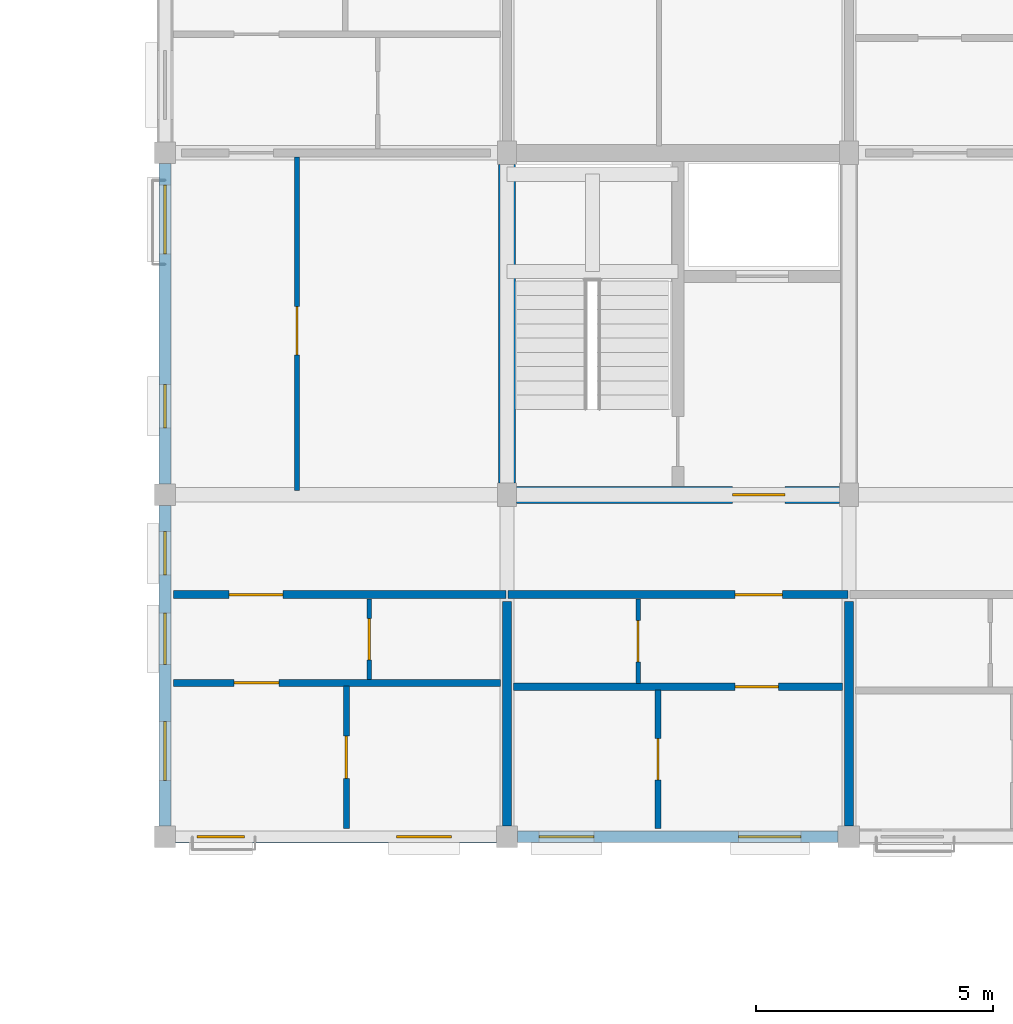
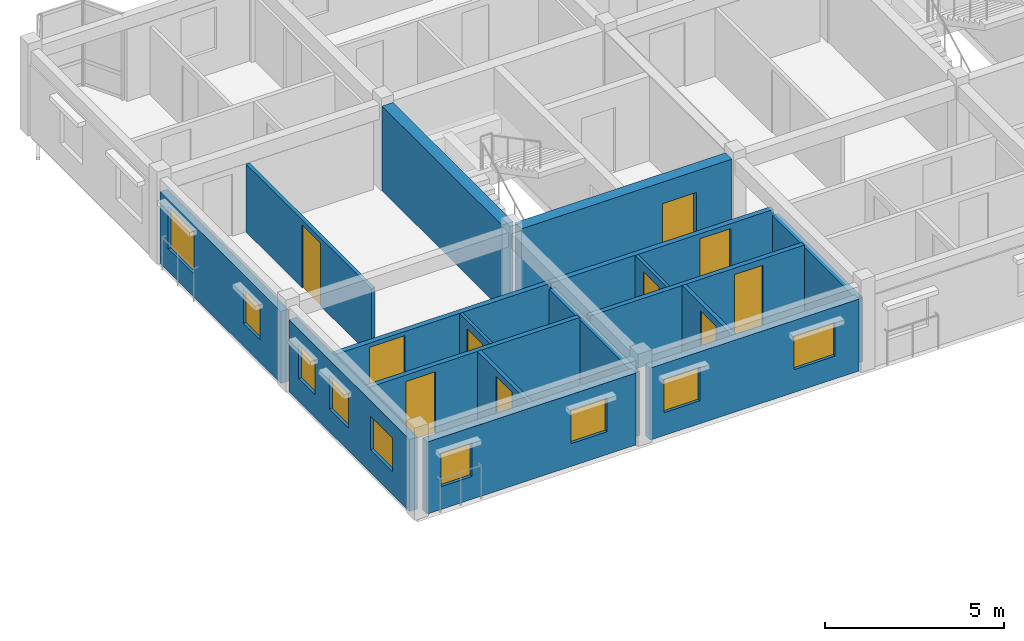
# One storey, part 21 of 28: 17 walls, 10 doors, 9 windows, 19 openings.
"""IFC4 building model written with IfcOpenShell, lengths in metres."""

from ifc_helpers import new_model, si_unit, direction, frame, frame_2d, origin, place, context, subcontext, project, spatial, rectangle, extrude, material, layer, layer_set, type_object, element, fill, save


model = new_model("IFC4")

# Units and contexts
model_context = context("Model", 3, precision=1e-05, world=origin(), true_north=direction((0.0, 1.0)))
body_context = subcontext(model_context, "Body", "Model", "MODEL_VIEW")
ifc_project = project(units=[si_unit("LENGTHUNIT", "METRE"), si_unit("AREAUNIT", "SQUARE_METRE"), si_unit("VOLUMEUNIT", "CUBIC_METRE"), si_unit("PLANEANGLEUNIT", "RADIAN"), si_unit("MASSUNIT", "GRAM", prefix="KILO"), si_unit("THERMODYNAMICTEMPERATUREUNIT", "KELVIN"), si_unit("POWERUNIT", "WATT")], contexts=[model_context])

# Site, building, storey
site_placement = place(None, origin())
site = spatial("IfcSite", under=ifc_project, at=site_placement, CompositionType="ELEMENT")
building_placement = place(site_placement, origin())
building = spatial("IfcBuilding", under=site, at=building_placement, Name="Tavuni Mirador Residences", CompositionType="ELEMENT")
storey_placement = place(building_placement, frame((0.0, 0.0, 39.14990234375)))
storey = spatial("IfcBuildingStorey", under=building, at=storey_placement, Name="L12", CompositionType="ELEMENT", Elevation=39.14990234375)

# Wall
ifc_material_1 = material(Name="Precast concrete C40/50", Category="concrete")
ifc_layer_1 = layer(ifc_material_1, 0.360107421875, Name="Precast concrete C40/50", Category="concrete")
ifc_layer_set_1 = layer_set([ifc_layer_1], Name="Precast concrete C40/50")
wall_type_1 = type_object("IfcWallType", Name="WT-COR360", PredefinedType="SHEAR", material=ifc_layer_set_1)
wall_1_placement = place(storey_placement, frame((25.199951171875, 158.64990234375, 0.0), z_axis=(0.0, 0.0, 1.0), x_axis=(0.0, 1.0, 0.0)))
element("IfcWall", 1, at=wall_1_placement, inside=storey, type_object=wall_type_1, Name="CWALL-C5-L12-W", PredefinedType="SHEAR", context=body_context, shape_type="SweptSolid", body=[
    extrude(rectangle(XDim=6.7001953125, YDim=0.360107421875, at=frame_2d((3.35009765625, 0.0))), origin(), (0.0, 0.0, 1.0), 2.885009765625),
])

# Wall, opening, door
wall_2_placement = place(storey_placement, frame((25.39990234375, 158.39990234375, 0.0), z_axis=(0.0, 0.0, 1.0), x_axis=(1.0, 0.0, 0.0)))
wall_2 = element("IfcWall", 2, at=wall_2_placement, inside=storey, type_object=wall_type_1, Name="CWALL-C5-L12-SS", PredefinedType="SHEAR", context=body_context, shape_type="SweptSolid", body=[
    extrude(rectangle(XDim=6.800048828125, YDim=0.360107421875, at=frame_2d((3.39990234375, 0.0))), origin(), (0.0, 0.0, 1.0), 2.885009765625),
])
opening_1_placement = place(wall_2_placement, frame((4.550048828125, 0.0, 0.0)))
opening_1 = element("IfcOpeningElement", 3, at=opening_1_placement, cuts=wall_2, Name="Opening D-02", PredefinedType="OPENING", context=body_context, shape_type="SweptSolid", body=[
    extrude(rectangle(XDim=1.10009765625, YDim=2.14990234375, at=frame_2d((0.550048828125, 1.074951171875))), frame((0.0, 0.18994140625, 0.0), z_axis=(0.0, -1.0, 0.0), x_axis=(1.0, 0.0, 0.0)), (0.0, 0.0, 1.0), 0.380126953125),
])
ifc_material_2 = material(Name="Solid core iroko timber", Category="wood")
door_type_1 = type_object("IfcDoorType", Name="DT-LOB1100", OperationType="NOTDEFINED", PredefinedType="DOOR", material=ifc_material_2)
door_1_placement = place(opening_1_placement, frame((1.10009765625, 0.0, 0.0), z_axis=(0.0, 0.0, 1.0), x_axis=(-1.0, 0.0, 0.0)))
door_1 = element("IfcDoor", 4, at=door_1_placement, inside=storey, type_object=door_type_1, Name="DR-2210", OperationType="SINGLE_SWING_RIGHT", OverallHeight=2.14990234375, OverallWidth=1.10009765625, PredefinedType="DOOR", context=body_context, shape_type="SweptSolid", body=[
    extrude(rectangle(XDim=1.10009765625, YDim=2.14990234375, at=frame_2d((0.550048828125, 1.074951171875))), frame((0.0, 0.02490234375, 0.0), z_axis=(0.0, -1.0, 0.0), x_axis=(1.0, 0.0, 0.0)), (0.0, 0.0, 1.0), 0.050048828125),
])
fill(opening_1, door_1)

ifc_layer_2 = layer(ifc_material_1, 0.1650390625, Name="Precast concrete C40/50", Category="concrete")
ifc_layer_set_2 = layer_set([ifc_layer_2], Name="Precast concrete C40/50")
wall_type_2 = type_object("IfcWallType", Name="WT-CORR165", PredefinedType="PARTITIONING", material=ifc_layer_set_2)
wall_3_placement = place(storey_placement, frame((18.175048828125, 156.300048828125, 0.0), z_axis=(0.0, 0.0, 1.0), x_axis=(1.0, 0.0, 0.0)))
wall_3 = element("IfcWall", 5, at=wall_3_placement, inside=storey, type_object=wall_type_2, Name="CORW-BLK-C-L12-0-00", PredefinedType="PARTITIONING", context=body_context, shape_type="SweptSolid", body=[
    extrude(rectangle(XDim=7.0048828125, YDim=0.1650390625, at=frame_2d((3.50244140625, 0.0))), origin(), (0.0, 0.0, 1.0), 2.320068359375),
])
opening_2_placement = place(wall_3_placement, frame((1.175048828125, 0.0, 0.0)))
opening_2 = element("IfcOpeningElement", 6, at=opening_2_placement, cuts=wall_3, Name="Opening D-20", PredefinedType="OPENING", context=body_context, shape_type="SweptSolid", body=[
    extrude(rectangle(XDim=1.139892578125, YDim=2.179931640625, at=frame_2d((0.56982421875, 1.08984375))), frame((0.0, 0.092529296875, 0.0), z_axis=(0.0, -1.0, 0.0), x_axis=(1.0, 0.0, 0.0)), (0.0, 0.0, 1.0), 0.18505859375),
])
door_type_2 = type_object("IfcDoorType", Name="DT-FD60-1140", OperationType="NOTDEFINED", PredefinedType="DOOR", material=ifc_material_2)
door_2_placement = place(opening_2_placement, origin())
door_2 = element("IfcDoor", 7, at=door_2_placement, inside=storey, type_object=door_type_2, Name="DR-2783", OperationType="SINGLE_SWING_RIGHT", OverallHeight=2.179931640625, OverallWidth=1.139892578125, PredefinedType="DOOR", context=body_context, shape_type="SweptSolid", body=[
    extrude(rectangle(XDim=1.139892578125, YDim=2.179931640625, at=frame_2d((0.56982421875, 1.08984375))), frame((0.0, 0.02490234375, 0.0), z_axis=(0.0, -1.0, 0.0), x_axis=(1.0, 0.0, 0.0)), (0.0, 0.0, 1.0), 0.050048828125),
])
fill(opening_2, door_2)

wall_4_placement = place(storey_placement, frame((25.219970703125, 156.300048828125, 0.0), z_axis=(0.0, 0.0, 1.0), x_axis=(1.0, 0.0, 0.0)))
wall_4 = element("IfcWall", 8, at=wall_4_placement, inside=storey, type_object=wall_type_2, Name="CORW-BLK-C-L12-0-01", PredefinedType="PARTITIONING", context=body_context, shape_type="SweptSolid", body=[
    extrude(rectangle(XDim=7.159912109375, YDim=0.1650390625, at=frame_2d((3.580078125, 0.0))), origin(), (0.0, 0.0, 1.0), 2.320068359375),
])
opening_3_placement = place(wall_4_placement, frame((4.780029296875, 0.0, 0.0)))
opening_3 = element("IfcOpeningElement", 9, at=opening_3_placement, cuts=wall_4, Name="Opening D-03", PredefinedType="OPENING", context=body_context, shape_type="SweptSolid", body=[
    extrude(rectangle(XDim=1.0, YDim=2.14990234375, at=frame_2d((0.5, 1.074951171875))), frame((0.0, 0.092529296875, 0.0), z_axis=(0.0, -1.0, 0.0), x_axis=(1.0, 0.0, 0.0)), (0.0, 0.0, 1.0), 0.18505859375),
])
door_type_3 = type_object("IfcDoorType", Name="DT-FD60-1000", OperationType="NOTDEFINED", PredefinedType="DOOR", material=ifc_material_2)
door_3_placement = place(opening_3_placement, origin())
door_3 = element("IfcDoor", 10, at=door_3_placement, inside=storey, type_object=door_type_3, Name="DR-2784", OperationType="SINGLE_SWING_LEFT", OverallHeight=2.14990234375, OverallWidth=1.0, PredefinedType="DOOR", context=body_context, shape_type="SweptSolid", body=[
    extrude(rectangle(XDim=1.0, YDim=2.14990234375, at=frame_2d((0.5, 1.074951171875))), frame((0.0, 0.02490234375, 0.0), z_axis=(0.0, -1.0, 0.0), x_axis=(1.0, 0.0, 0.0)), (0.0, 0.0, 1.0), 0.050048828125),
])
fill(opening_3, door_3)

# Wall, openings, windows
ifc_material_3 = material(Name="Sgraffito lime-rendered precast concrete C40/50", Category="concrete")
ifc_layer_3 = layer(ifc_material_3, 0.2451171875, Name="Sgraffito lime-rendered precast concrete C40/50", Category="concrete")
ifc_layer_set_3 = layer_set([ifc_layer_3], Name="Sgraffito lime-rendered precast concrete C40/50")
wall_type_3 = type_object("IfcWallType", Name="WT-EXT-PC245", PredefinedType="SOLIDWALL", material=ifc_layer_set_3)
wall_5_placement = place(storey_placement, frame((25.425048828125, 151.199951171875, 0.0), z_axis=(0.0, 0.0, 1.0), x_axis=(1.0, 0.0, 0.0)))
wall_5 = element("IfcWall", 11, at=wall_5_placement, inside=storey, type_object=wall_type_3, Name="EW-BLK-C-L12-S01", PredefinedType="SOLIDWALL", context=body_context, shape_type="SweptSolid", body=[
    extrude(rectangle(XDim=6.75, YDim=0.2451171875, at=frame_2d((3.375, 0.0))), origin(), (0.0, 0.0, 1.0), 2.455078125),
])
opening_4_placement = place(wall_5_placement, frame((0.449951171875, 0.0, 0.780029296875)))
opening_4 = element("IfcOpeningElement", 12, at=opening_4_placement, cuts=wall_5, Name="Opening WN-05", PredefinedType="OPENING", context=body_context, shape_type="SweptSolid", body=[
    extrude(rectangle(XDim=1.159912109375, YDim=1.14990234375, at=frame_2d((0.580078125, 0.574951171875))), frame((0.0, 0.132568359375, 0.0), z_axis=(0.0, -1.0, 0.0), x_axis=(1.0, 0.0, 0.0)), (0.0, 0.0, 1.0), 0.26513671875),
])
opening_5_placement = place(wall_5_placement, frame((4.64990234375, 0.0, 0.780029296875)))
opening_5 = element("IfcOpeningElement", 13, at=opening_5_placement, cuts=wall_5, Name="Opening WN-07", PredefinedType="OPENING", context=body_context, shape_type="SweptSolid", body=[
    extrude(rectangle(XDim=1.320068359375, YDim=1.14990234375, at=frame_2d((0.66015625, 0.574951171875))), frame((0.0, 0.132568359375, 0.0), z_axis=(0.0, -1.0, 0.0), x_axis=(1.0, 0.0, 0.0)), (0.0, 0.0, 1.0), 0.26513671875),
])
ifc_material_4 = material(Name="Laminated solar-control glass", Category="glass")
window_type_1 = type_object("IfcWindowType", Name="WNT-05", PartitioningType="SINGLE_PANEL", PredefinedType="WINDOW", material=ifc_material_4)
window_1_placement = place(opening_4_placement, origin())
window_1 = element("IfcWindow", 14, at=window_1_placement, inside=storey, type_object=window_type_1, Name="WIN-1342", OverallHeight=1.14990234375, OverallWidth=1.159912109375, PartitioningType="SINGLE_PANEL", PredefinedType="WINDOW", context=body_context, shape_type="SweptSolid", body=[
    extrude(rectangle(XDim=1.159912109375, YDim=1.14990234375, at=frame_2d((0.580078125, 0.574951171875))), frame((0.0, 0.030029296875, 0.0), z_axis=(0.0, -1.0, 0.0), x_axis=(1.0, 0.0, 0.0)), (0.0, 0.0, 1.0), 0.06005859375),
])
fill(opening_4, window_1)
window_type_2 = type_object("IfcWindowType", Name="WNT-07", PartitioningType="SINGLE_PANEL", PredefinedType="WINDOW", material=ifc_material_4)
window_2_placement = place(opening_5_placement, origin())
window_2 = element("IfcWindow", 15, at=window_2_placement, inside=storey, type_object=window_type_2, Name="WIN-1343", OverallHeight=1.14990234375, OverallWidth=1.320068359375, PartitioningType="SINGLE_PANEL", PredefinedType="WINDOW", context=body_context, shape_type="SweptSolid", body=[
    extrude(rectangle(XDim=1.320068359375, YDim=1.14990234375, at=frame_2d((0.66015625, 0.574951171875))), frame((0.0, 0.030029296875, 0.0), z_axis=(0.0, -1.0, 0.0), x_axis=(1.0, 0.0, 0.0)), (0.0, 0.0, 1.0), 0.06005859375),
])
fill(opening_5, window_2)

wall_6_placement = place(storey_placement, frame((18.0, 165.375, 0.0), z_axis=(0.0, 0.0, 1.0), x_axis=(0.0, -1.0, 0.0)))
wall_6 = element("IfcWall", 16, at=wall_6_placement, inside=storey, type_object=wall_type_3, Name="EW-BLK-C-L12-W01", PredefinedType="SOLIDWALL", context=body_context, shape_type="SweptSolid", body=[
    extrude(rectangle(XDim=6.75, YDim=0.2451171875, at=frame_2d((3.375, 0.0))), origin(), (0.0, 0.0, 1.0), 2.455078125),
])
opening_6_placement = place(wall_6_placement, frame((0.449951171875, 0.0, 0.780029296875)))
opening_6 = element("IfcOpeningElement", 17, at=opening_6_placement, cuts=wall_6, Name="Opening WN-30", PredefinedType="OPENING", context=body_context, shape_type="SweptSolid", body=[
    extrude(rectangle(XDim=1.449951171875, YDim=1.43994140625, at=frame_2d((0.72509765625, 0.719970703125))), frame((0.0, 0.132568359375, 0.0), z_axis=(0.0, -1.0, 0.0), x_axis=(1.0, 0.0, 0.0)), (0.0, 0.0, 1.0), 0.26513671875),
])
opening_7_placement = place(wall_6_placement, frame((4.64990234375, 0.0, 0.780029296875)))
opening_7 = element("IfcOpeningElement", 18, at=opening_7_placement, cuts=wall_6, Name="Opening WN-02", PredefinedType="OPENING", context=body_context, shape_type="SweptSolid", body=[
    extrude(rectangle(XDim=0.919921875, YDim=1.14990234375, at=frame_2d((0.4599609375, 0.574951171875))), frame((0.0, 0.132568359375, 0.0), z_axis=(0.0, -1.0, 0.0), x_axis=(1.0, 0.0, 0.0)), (0.0, 0.0, 1.0), 0.26513671875),
])
window_type_3 = type_object("IfcWindowType", Name="WNT-02", PartitioningType="SINGLE_PANEL", PredefinedType="WINDOW", material=ifc_material_4)
window_3_placement = place(opening_7_placement, origin())
window_3 = element("IfcWindow", 19, at=window_3_placement, inside=storey, type_object=window_type_3, Name="WIN-1368", OverallHeight=1.14990234375, OverallWidth=0.919921875, PartitioningType="SINGLE_PANEL", PredefinedType="WINDOW", context=body_context, shape_type="SweptSolid", body=[
    extrude(rectangle(XDim=0.919921875, YDim=1.14990234375, at=frame_2d((0.4599609375, 0.574951171875))), frame((0.0, 0.030029296875, 0.0), z_axis=(0.0, -1.0, 0.0), x_axis=(1.0, 0.0, 0.0)), (0.0, 0.0, 1.0), 0.06005859375),
])
fill(opening_7, window_3)
window_type_4 = type_object("IfcWindowType", Name="WNT-30", PartitioningType="SINGLE_PANEL", PredefinedType="WINDOW", material=ifc_material_4)
window_4_placement = place(opening_6_placement, origin())
window_4 = element("IfcWindow", 20, at=window_4_placement, inside=storey, type_object=window_type_4, Name="WIN-1367", OverallHeight=1.43994140625, OverallWidth=1.449951171875, PartitioningType="SINGLE_PANEL", PredefinedType="WINDOW", context=body_context, shape_type="SweptSolid", body=[
    extrude(rectangle(XDim=1.449951171875, YDim=1.43994140625, at=frame_2d((0.72509765625, 0.719970703125))), frame((0.0, 0.030029296875, 0.0), z_axis=(0.0, -1.0, 0.0), x_axis=(1.0, 0.0, 0.0)), (0.0, 0.0, 1.0), 0.06005859375),
])
fill(opening_6, window_4)

ifc_layer_4 = layer(ifc_material_3, 0.2548828125, Name="Sgraffito lime-rendered precast concrete C40/50", Category="concrete")
ifc_layer_set_4 = layer_set([ifc_layer_4], Name="Sgraffito lime-rendered precast concrete C40/50")
wall_type_4 = type_object("IfcWallType", Name="WT-EXT-PC255", PredefinedType="SOLIDWALL", material=ifc_layer_set_4)
wall_7_placement = place(storey_placement, frame((18.22509765625, 151.199951171875, 0.0), z_axis=(0.0, 0.0, 1.0), x_axis=(1.0, 0.0, 0.0)))
wall_7 = element("IfcWall", 21, at=wall_7_placement, inside=storey, type_object=wall_type_4, Name="EW-BLK-C-L12-S00", PredefinedType="SOLIDWALL", context=body_context, shape_type="SweptSolid", body=[
    extrude(rectangle(XDim=6.75, YDim=0.2548828125, at=frame_2d((3.375, 0.0))), origin(), (0.0, 0.0, 1.0), 2.455078125),
])
opening_8_placement = place(wall_7_placement, frame((0.449951171875, 0.0, 0.780029296875)))
opening_8 = element("IfcOpeningElement", 22, at=opening_8_placement, cuts=wall_7, Name="Opening WN-03", PredefinedType="OPENING", context=body_context, shape_type="SweptSolid", body=[
    extrude(rectangle(XDim=1.0, YDim=1.14990234375, at=frame_2d((0.5, 0.574951171875))), frame((0.0, 0.137451171875, 0.0), z_axis=(0.0, -1.0, 0.0), x_axis=(1.0, 0.0, 0.0)), (0.0, 0.0, 1.0), 0.27490234375),
])
opening_9_placement = place(wall_7_placement, frame((4.64990234375, 0.0, 0.780029296875)))
opening_9 = element("IfcOpeningElement", 23, at=opening_9_placement, cuts=wall_7, Name="Opening WN-05", PredefinedType="OPENING", context=body_context, shape_type="SweptSolid", body=[
    extrude(rectangle(XDim=1.159912109375, YDim=1.14990234375, at=frame_2d((0.580078125, 0.574951171875))), frame((0.0, 0.137451171875, 0.0), z_axis=(0.0, -1.0, 0.0), x_axis=(1.0, 0.0, 0.0)), (0.0, 0.0, 1.0), 0.27490234375),
])
window_type_5 = type_object("IfcWindowType", Name="WNT-03", PartitioningType="SINGLE_PANEL", PredefinedType="WINDOW", material=ifc_material_4)
window_5_placement = place(opening_8_placement, origin())
window_5 = element("IfcWindow", 24, at=window_5_placement, inside=storey, type_object=window_type_5, Name="WIN-1340", OverallHeight=1.14990234375, OverallWidth=1.0, PartitioningType="SINGLE_PANEL", PredefinedType="WINDOW", context=body_context, shape_type="SweptSolid", body=[
    extrude(rectangle(XDim=1.0, YDim=1.14990234375, at=frame_2d((0.5, 0.574951171875))), frame((0.0, 0.030029296875, 0.0), z_axis=(0.0, -1.0, 0.0), x_axis=(1.0, 0.0, 0.0)), (0.0, 0.0, 1.0), 0.06005859375),
])
fill(opening_8, window_5)
window_6_placement = place(opening_9_placement, origin())
window_6 = element("IfcWindow", 25, at=window_6_placement, inside=storey, type_object=window_type_1, Name="WIN-1341", OverallHeight=1.14990234375, OverallWidth=1.159912109375, PartitioningType="SINGLE_PANEL", PredefinedType="WINDOW", context=body_context, shape_type="SweptSolid", body=[
    extrude(rectangle(XDim=1.159912109375, YDim=1.14990234375, at=frame_2d((0.580078125, 0.574951171875))), frame((0.0, 0.030029296875, 0.0), z_axis=(0.0, -1.0, 0.0), x_axis=(1.0, 0.0, 0.0)), (0.0, 0.0, 1.0), 0.06005859375),
])
fill(opening_9, window_6)

wall_8_placement = place(storey_placement, frame((18.0, 158.175048828125, 0.0), z_axis=(0.0, 0.0, 1.0), x_axis=(0.0, -1.0, 0.0)))
wall_8 = element("IfcWall", 26, at=wall_8_placement, inside=storey, type_object=wall_type_4, Name="EW-BLK-C-L12-W00", PredefinedType="SOLIDWALL", context=body_context, shape_type="SweptSolid", body=[
    extrude(rectangle(XDim=6.75, YDim=0.2548828125, at=frame_2d((3.375, 0.0))), origin(), (0.0, 0.0, 1.0), 2.455078125),
])
opening_10_placement = place(wall_8_placement, frame((0.547607421875, 0.0, 0.780029296875)))
opening_10 = element("IfcOpeningElement", 27, at=opening_10_placement, cuts=wall_8, Name="Opening WN-02", PredefinedType="OPENING", context=body_context, shape_type="SweptSolid", body=[
    extrude(rectangle(XDim=0.919921875, YDim=1.14990234375, at=frame_2d((0.4599609375, 0.574951171875))), frame((0.0, 0.137451171875, 0.0), z_axis=(0.0, -1.0, 0.0), x_axis=(1.0, 0.0, 0.0)), (0.0, 0.0, 1.0), 0.27490234375),
])
opening_11_placement = place(wall_8_placement, frame((2.264892578125, 0.0, 0.780029296875)))
opening_11 = element("IfcOpeningElement", 28, at=opening_11_placement, cuts=wall_8, Name="Opening WN-04", PredefinedType="OPENING", context=body_context, shape_type="SweptSolid", body=[
    extrude(rectangle(XDim=1.080078125, YDim=1.14990234375, at=frame_2d((0.5400390625, 0.574951171875))), frame((0.0, 0.137451171875, 0.0), z_axis=(0.0, -1.0, 0.0), x_axis=(1.0, 0.0, 0.0)), (0.0, 0.0, 1.0), 0.27490234375),
])
opening_12_placement = place(wall_8_placement, frame((4.552490234375, 0.0, 0.780029296875)))
opening_12 = element("IfcOpeningElement", 29, at=opening_12_placement, cuts=wall_8, Name="Opening WN-06", PredefinedType="OPENING", context=body_context, shape_type="SweptSolid", body=[
    extrude(rectangle(XDim=1.239990234375, YDim=1.14990234375, at=frame_2d((0.6201171875, 0.574951171875))), frame((0.0, 0.137451171875, 0.0), z_axis=(0.0, -1.0, 0.0), x_axis=(1.0, 0.0, 0.0)), (0.0, 0.0, 1.0), 0.27490234375),
])
window_7_placement = place(opening_10_placement, origin())
window_7 = element("IfcWindow", 30, at=window_7_placement, inside=storey, type_object=window_type_3, Name="WIN-1369", OverallHeight=1.14990234375, OverallWidth=0.919921875, PartitioningType="SINGLE_PANEL", PredefinedType="WINDOW", context=body_context, shape_type="SweptSolid", body=[
    extrude(rectangle(XDim=0.919921875, YDim=1.14990234375, at=frame_2d((0.4599609375, 0.574951171875))), frame((0.0, 0.030029296875, 0.0), z_axis=(0.0, -1.0, 0.0), x_axis=(1.0, 0.0, 0.0)), (0.0, 0.0, 1.0), 0.06005859375),
])
fill(opening_10, window_7)
window_type_6 = type_object("IfcWindowType", Name="WNT-04", PartitioningType="SINGLE_PANEL", PredefinedType="WINDOW", material=ifc_material_4)
window_8_placement = place(opening_11_placement, origin())
window_8 = element("IfcWindow", 31, at=window_8_placement, inside=storey, type_object=window_type_6, Name="WIN-1370", OverallHeight=1.14990234375, OverallWidth=1.080078125, PartitioningType="SINGLE_PANEL", PredefinedType="WINDOW", context=body_context, shape_type="SweptSolid", body=[
    extrude(rectangle(XDim=1.080078125, YDim=1.14990234375, at=frame_2d((0.5400390625, 0.574951171875))), frame((0.0, 0.030029296875, 0.0), z_axis=(0.0, -1.0, 0.0), x_axis=(1.0, 0.0, 0.0)), (0.0, 0.0, 1.0), 0.06005859375),
])
fill(opening_11, window_8)
window_type_7 = type_object("IfcWindowType", Name="WNT-06", PartitioningType="SINGLE_PANEL", PredefinedType="WINDOW", material=ifc_material_4)
window_9_placement = place(opening_12_placement, origin())
window_9 = element("IfcWindow", 32, at=window_9_placement, inside=storey, type_object=window_type_7, Name="WIN-1371", OverallHeight=1.14990234375, OverallWidth=1.239990234375, PartitioningType="SINGLE_PANEL", PredefinedType="WINDOW", context=body_context, shape_type="SweptSolid", body=[
    extrude(rectangle(XDim=1.239990234375, YDim=1.14990234375, at=frame_2d((0.6201171875, 0.574951171875))), frame((0.0, 0.030029296875, 0.0), z_axis=(0.0, -1.0, 0.0), x_axis=(1.0, 0.0, 0.0)), (0.0, 0.0, 1.0), 0.06005859375),
])
fill(opening_12, window_9)

# Wall, opening, door
ifc_material_5 = material(Name="Acoustic gypsum and concrete block partition", Category="concrete")
ifc_layer_5 = layer(ifc_material_5, 0.094970703125, Name="Acoustic gypsum and concrete block partition", Category="concrete")
ifc_layer_set_5 = layer_set([ifc_layer_5], Name="Acoustic gypsum and concrete block partition")
wall_type_5 = type_object("IfcWallType", Name="WT-PART095", PredefinedType="PARTITIONING", material=ifc_layer_set_5)
wall_9_placement = place(storey_placement, frame((22.300048828125, 154.510009765625, 0.0), z_axis=(0.0, 0.0, 1.0), x_axis=(0.0, 1.0, 0.0)))
wall_9 = element("IfcWall", 33, at=wall_9_placement, inside=storey, type_object=wall_type_5, Name="PW-BLK-C-L12-S00-IN1", PredefinedType="PARTITIONING", context=body_context, shape_type="SweptSolid", body=[
    extrude(rectangle(XDim=1.699951171875, YDim=0.094970703125, at=frame_2d((0.85009765625, 0.0))), origin(), (0.0, 0.0, 1.0), 2.320068359375),
])
opening_13_placement = place(wall_9_placement, frame((0.4150390625, 0.0, 0.0)))
opening_13 = element("IfcOpeningElement", 34, at=opening_13_placement, cuts=wall_9, Name="Opening D-10", PredefinedType="OPENING", context=body_context, shape_type="SweptSolid", body=[
    extrude(rectangle(XDim=0.8701171875, YDim=2.050048828125, at=frame_2d((0.43505859375, 1.02490234375))), frame((0.0, 0.0576171875, 0.0), z_axis=(0.0, -1.0, 0.0), x_axis=(1.0, 0.0, 0.0)), (0.0, 0.0, 1.0), 0.114990234375),
])
door_type_4 = type_object("IfcDoorType", Name="DT-WC870", OperationType="NOTDEFINED", PredefinedType="DOOR", material=ifc_material_2)
door_4_placement = place(opening_13_placement, origin())
door_4 = element("IfcDoor", 35, at=door_4_placement, inside=storey, type_object=door_type_4, Name="DR-4229", OperationType="SINGLE_SWING_LEFT", OverallHeight=2.050048828125, OverallWidth=0.8701171875, PredefinedType="DOOR", context=body_context, shape_type="SweptSolid", body=[
    extrude(rectangle(XDim=0.8701171875, YDim=2.050048828125, at=frame_2d((0.43505859375, 1.02490234375))), frame((0.0, 0.02490234375, 0.0), z_axis=(0.0, -1.0, 0.0), x_axis=(1.0, 0.0, 0.0)), (0.0, 0.0, 1.0), 0.050048828125),
])
fill(opening_13, door_4)

wall_10_placement = place(storey_placement, frame((27.9599609375, 154.429931640625, 0.0), z_axis=(0.0, 0.0, 1.0), x_axis=(0.0, 1.0, 0.0)))
wall_10 = element("IfcWall", 36, at=wall_10_placement, inside=storey, type_object=wall_type_5, Name="PW-BLK-C-L12-S01-IN1", PredefinedType="PARTITIONING", context=body_context, shape_type="SweptSolid", body=[
    extrude(rectangle(XDim=1.780029296875, YDim=0.094970703125, at=frame_2d((0.89013671875, 0.0))), origin(), (0.0, 0.0, 1.0), 2.320068359375),
])
opening_14_placement = place(wall_10_placement, frame((0.455078125, 0.0, 0.0)))
opening_14 = element("IfcOpeningElement", 37, at=opening_14_placement, cuts=wall_10, Name="Opening D-10", PredefinedType="OPENING", context=body_context, shape_type="SweptSolid", body=[
    extrude(rectangle(XDim=0.8701171875, YDim=2.050048828125, at=frame_2d((0.43505859375, 1.02490234375))), frame((0.0, 0.0576171875, 0.0), z_axis=(0.0, -1.0, 0.0), x_axis=(1.0, 0.0, 0.0)), (0.0, 0.0, 1.0), 0.114990234375),
])
door_5_placement = place(opening_14_placement, origin())
door_5 = element("IfcDoor", 38, at=door_5_placement, inside=storey, type_object=door_type_4, Name="DR-4235", OperationType="SINGLE_SWING_RIGHT", OverallHeight=2.050048828125, OverallWidth=0.8701171875, PredefinedType="DOOR", context=body_context, shape_type="SweptSolid", body=[
    extrude(rectangle(XDim=0.8701171875, YDim=2.050048828125, at=frame_2d((0.43505859375, 1.02490234375))), frame((0.0, 0.02490234375, 0.0), z_axis=(0.0, -1.0, 0.0), x_axis=(1.0, 0.0, 0.0)), (0.0, 0.0, 1.0), 0.050048828125),
])
fill(opening_14, door_5)

ifc_layer_6 = layer(ifc_material_5, 0.114990234375, Name="Acoustic gypsum and concrete block partition", Category="concrete")
ifc_layer_set_6 = layer_set([ifc_layer_6], Name="Acoustic gypsum and concrete block partition")
wall_type_6 = type_object("IfcWallType", Name="WT-PART115", PredefinedType="PARTITIONING", material=ifc_layer_set_6)
wall_11_placement = place(storey_placement, frame((20.780029296875, 158.489990234375, 0.0), z_axis=(0.0, 0.0, 1.0), x_axis=(0.0, 1.0, 0.0)))
wall_11 = element("IfcWall", 39, at=wall_11_placement, inside=storey, type_object=wall_type_6, Name="PW-SPN-BLK-C-L12-00", PredefinedType="PARTITIONING", context=body_context, shape_type="SweptSolid", body=[
    extrude(rectangle(XDim=7.02001953125, YDim=0.114990234375, at=frame_2d((3.510009765625, 0.0))), origin(), (0.0, 0.0, 1.0), 2.320068359375),
])
opening_15_placement = place(wall_11_placement, frame((2.85009765625, 0.0, 0.0)))
opening_15 = element("IfcOpeningElement", 40, at=opening_15_placement, cuts=wall_11, Name="Opening D-13", PredefinedType="OPENING", context=body_context, shape_type="SweptSolid", body=[
    extrude(rectangle(XDim=1.02001953125, YDim=2.14990234375, at=frame_2d((0.510009765625, 1.074951171875))), frame((0.0, 0.0673828125, 0.0), z_axis=(0.0, -1.0, 0.0), x_axis=(1.0, 0.0, 0.0)), (0.0, 0.0, 1.0), 0.135009765625),
])
door_type_5 = type_object("IfcDoorType", Name="DT-MTG1020", OperationType="NOTDEFINED", PredefinedType="DOOR", material=ifc_material_2)
door_6_placement = place(opening_15_placement, origin())
door_6 = element("IfcDoor", 41, at=door_6_placement, inside=storey, type_object=door_type_5, Name="DR-4227", OperationType="SINGLE_SWING_RIGHT", OverallHeight=2.14990234375, OverallWidth=1.02001953125, PredefinedType="DOOR", context=body_context, shape_type="SweptSolid", body=[
    extrude(rectangle(XDim=1.02001953125, YDim=2.14990234375, at=frame_2d((0.510009765625, 1.074951171875))), frame((0.0, 0.02490234375, 0.0), z_axis=(0.0, -1.0, 0.0), x_axis=(1.0, 0.0, 0.0)), (0.0, 0.0, 1.0), 0.050048828125),
])
fill(opening_15, door_6)

ifc_layer_7 = layer(ifc_material_5, 0.125, Name="Acoustic gypsum and concrete block partition", Category="concrete")
ifc_layer_set_7 = layer_set([ifc_layer_7], Name="Acoustic gypsum and concrete block partition")
wall_type_7 = type_object("IfcWallType", Name="WT-PART125", PredefinedType="PARTITIONING", material=ifc_layer_set_7)
wall_12_placement = place(storey_placement, frame((21.820068359375, 151.375, 0.0), z_axis=(0.0, 0.0, 1.0), x_axis=(0.0, 1.0, 0.0)))
wall_12 = element("IfcWall", 42, at=wall_12_placement, inside=storey, type_object=wall_type_7, Name="PW-BLK-C-L12-S00-OUT", PredefinedType="PARTITIONING", context=body_context, shape_type="SweptSolid", body=[
    extrude(rectangle(XDim=2.9951171875, YDim=0.125, at=frame_2d((1.49755859375, 0.0))), origin(), (0.0, 0.0, 1.0), 2.320068359375),
])
opening_16_placement = place(wall_12_placement, frame((1.047607421875, 0.0, 0.0)))
opening_16 = element("IfcOpeningElement", 43, at=opening_16_placement, cuts=wall_12, Name="Opening D-07", PredefinedType="OPENING", context=body_context, shape_type="SweptSolid", body=[
    extrude(rectangle(XDim=0.89990234375, YDim=2.10009765625, at=frame_2d((0.449951171875, 1.050048828125))), frame((0.0, 0.072509765625, 0.0), z_axis=(0.0, -1.0, 0.0), x_axis=(1.0, 0.0, 0.0)), (0.0, 0.0, 1.0), 0.14501953125),
])
door_type_6 = type_object("IfcDoorType", Name="DT-BED900", OperationType="NOTDEFINED", PredefinedType="DOOR", material=ifc_material_2)
door_7_placement = place(opening_16_placement, origin())
door_7 = element("IfcDoor", 44, at=door_7_placement, inside=storey, type_object=door_type_6, Name="DR-4228", OperationType="SINGLE_SWING_RIGHT", OverallHeight=2.10009765625, OverallWidth=0.89990234375, PredefinedType="DOOR", context=body_context, shape_type="SweptSolid", body=[
    extrude(rectangle(XDim=0.89990234375, YDim=2.10009765625, at=frame_2d((0.449951171875, 1.050048828125))), frame((0.0, 0.02490234375, 0.0), z_axis=(0.0, -1.0, 0.0), x_axis=(1.0, 0.0, 0.0)), (0.0, 0.0, 1.0), 0.050048828125),
])
fill(opening_16, door_7)

wall_13_placement = place(storey_placement, frame((28.3798828125, 151.375, 0.0), z_axis=(0.0, 0.0, 1.0), x_axis=(0.0, 1.0, 0.0)))
wall_13 = element("IfcWall", 45, at=wall_13_placement, inside=storey, type_object=wall_type_7, Name="PW-BLK-C-L12-S01-OUT", PredefinedType="PARTITIONING", context=body_context, shape_type="SweptSolid", body=[
    extrude(rectangle(XDim=2.9150390625, YDim=0.125, at=frame_2d((1.45751953125, 0.0))), origin(), (0.0, 0.0, 1.0), 2.320068359375),
])
opening_17_placement = place(wall_13_placement, frame((1.017578125, 0.0, 0.0)))
opening_17 = element("IfcOpeningElement", 46, at=opening_17_placement, cuts=wall_13, Name="Opening D-08", PredefinedType="OPENING", context=body_context, shape_type="SweptSolid", body=[
    extrude(rectangle(XDim=0.8798828125, YDim=2.080078125, at=frame_2d((0.43994140625, 1.0400390625))), frame((0.0, 0.072509765625, 0.0), z_axis=(0.0, -1.0, 0.0), x_axis=(1.0, 0.0, 0.0)), (0.0, 0.0, 1.0), 0.14501953125),
])
door_type_7 = type_object("IfcDoorType", Name="DT-BED880", OperationType="NOTDEFINED", PredefinedType="DOOR", material=ifc_material_2)
door_8_placement = place(opening_17_placement, origin())
door_8 = element("IfcDoor", 47, at=door_8_placement, inside=storey, type_object=door_type_7, Name="DR-4234", OperationType="SINGLE_SWING_LEFT", OverallHeight=2.080078125, OverallWidth=0.8798828125, PredefinedType="DOOR", context=body_context, shape_type="SweptSolid", body=[
    extrude(rectangle(XDim=0.8798828125, YDim=2.080078125, at=frame_2d((0.43994140625, 1.0400390625))), frame((0.0, 0.02490234375, 0.0), z_axis=(0.0, -1.0, 0.0), x_axis=(1.0, 0.0, 0.0)), (0.0, 0.0, 1.0), 0.050048828125),
])
fill(opening_17, door_8)

ifc_layer_8 = layer(ifc_material_5, 0.14990234375, Name="Acoustic gypsum and concrete block partition", Category="concrete")
ifc_layer_set_8 = layer_set([ifc_layer_8], Name="Acoustic gypsum and concrete block partition")
wall_type_8 = type_object("IfcWallType", Name="WT-PART150", PredefinedType="PARTITIONING", material=ifc_layer_set_8)
wall_14_placement = place(storey_placement, frame((18.175048828125, 154.43994140625, 0.0), z_axis=(0.0, 0.0, 1.0), x_axis=(1.0, 0.0, 0.0)))
wall_14 = element("IfcWall", 48, at=wall_14_placement, inside=storey, type_object=wall_type_8, Name="PW-BLK-C-L12-S00-MID", PredefinedType="PARTITIONING", context=body_context, shape_type="SweptSolid", body=[
    extrude(rectangle(XDim=6.885009765625, YDim=0.14990234375, at=frame_2d((3.4423828125, 0.0))), origin(), (0.0, 0.0, 1.0), 2.320068359375),
])
opening_18_placement = place(wall_14_placement, frame((1.27490234375, 0.0, 0.0)))
opening_18 = element("IfcOpeningElement", 49, at=opening_18_placement, cuts=wall_14, Name="Opening D-05", PredefinedType="OPENING", context=body_context, shape_type="SweptSolid", body=[
    extrude(rectangle(XDim=0.949951171875, YDim=2.10009765625, at=frame_2d((0.47509765625, 1.050048828125))), frame((0.0, 0.0849609375, 0.0), z_axis=(0.0, -1.0, 0.0), x_axis=(1.0, 0.0, 0.0)), (0.0, 0.0, 1.0), 0.169921875),
])
door_type_8 = type_object("IfcDoorType", Name="DT-INT950", OperationType="NOTDEFINED", PredefinedType="DOOR", material=ifc_material_2)
door_9_placement = place(opening_18_placement, origin())
door_9 = element("IfcDoor", 50, at=door_9_placement, inside=storey, type_object=door_type_8, Name="DR-4230", OperationType="SINGLE_SWING_LEFT", OverallHeight=2.10009765625, OverallWidth=0.949951171875, PredefinedType="DOOR", context=body_context, shape_type="SweptSolid", body=[
    extrude(rectangle(XDim=0.949951171875, YDim=2.10009765625, at=frame_2d((0.47509765625, 1.050048828125))), frame((0.0, 0.02490234375, 0.0), z_axis=(0.0, -1.0, 0.0), x_axis=(1.0, 0.0, 0.0)), (0.0, 0.0, 1.0), 0.050048828125),
])
fill(opening_18, door_9)

wall_15_placement = place(storey_placement, frame((25.340087890625, 154.360107421875, 0.0), z_axis=(0.0, 0.0, 1.0), x_axis=(1.0, 0.0, 0.0)))
wall_15 = element("IfcWall", 51, at=wall_15_placement, inside=storey, type_object=wall_type_8, Name="PW-BLK-C-L12-S01-MID", PredefinedType="PARTITIONING", context=body_context, shape_type="SweptSolid", body=[
    extrude(rectangle(XDim=6.919921875, YDim=0.14990234375, at=frame_2d((3.4599609375, 0.0))), origin(), (0.0, 0.0, 1.0), 2.320068359375),
])
opening_19_placement = place(wall_15_placement, frame((4.659912109375, 0.0, 0.0)))
opening_19 = element("IfcOpeningElement", 52, at=opening_19_placement, cuts=wall_15, Name="Opening D-06", PredefinedType="OPENING", context=body_context, shape_type="SweptSolid", body=[
    extrude(rectangle(XDim=0.919921875, YDim=2.10009765625, at=frame_2d((0.4599609375, 1.050048828125))), frame((0.0, 0.0849609375, 0.0), z_axis=(0.0, -1.0, 0.0), x_axis=(1.0, 0.0, 0.0)), (0.0, 0.0, 1.0), 0.169921875),
])
door_type_9 = type_object("IfcDoorType", Name="DT-INT920", OperationType="NOTDEFINED", PredefinedType="DOOR", material=ifc_material_2)
door_10_placement = place(opening_19_placement, origin())
door_10 = element("IfcDoor", 53, at=door_10_placement, inside=storey, type_object=door_type_9, Name="DR-4236", OperationType="SINGLE_SWING_RIGHT", OverallHeight=2.10009765625, OverallWidth=0.919921875, PredefinedType="DOOR", context=body_context, shape_type="SweptSolid", body=[
    extrude(rectangle(XDim=0.919921875, YDim=2.10009765625, at=frame_2d((0.4599609375, 1.050048828125))), frame((0.0, 0.02490234375, 0.0), z_axis=(0.0, -1.0, 0.0), x_axis=(1.0, 0.0, 0.0)), (0.0, 0.0, 1.0), 0.050048828125),
])
fill(opening_19, door_10)

# Walls
ifc_layer_9 = layer(ifc_material_1, 0.195068359375, Name="Precast concrete C40/50", Category="concrete")
ifc_layer_set_9 = layer_set([ifc_layer_9], Name="Precast concrete C40/50")
wall_type_9 = type_object("IfcWallType", Name="WT-XW195", PredefinedType="SOLIDWALL", material=ifc_layer_set_9)
for number, where, z_axis, x_axis, name in (
    (54, (25.199951171875, 151.425048828125, 0.0), (0.0, 0.0, 1.0), (0.0, 1.0, 0.0), "XW-BLK-C-L12-S-01"),
    (55, (32.39990234375, 151.425048828125, 0.0), (0.0, 0.0, 1.0), (0.0, 1.0, 0.0), "XW-BLK-C-L12-S-02"),
):
    element("IfcWall", number, at=place(storey_placement, frame(where, z_axis=z_axis, x_axis=x_axis)), inside=storey, type_object=wall_type_9, Name=name, PredefinedType="SOLIDWALL", context=body_context, shape_type="SweptSolid", body=[
        extrude(rectangle(XDim=4.724853515625, YDim=0.195068359375, at=frame_2d((2.3623046875, 0.0))), origin(), (0.0, 0.0, 1.0), 2.18505859375),
    ])

save(model, "model.ifc")
